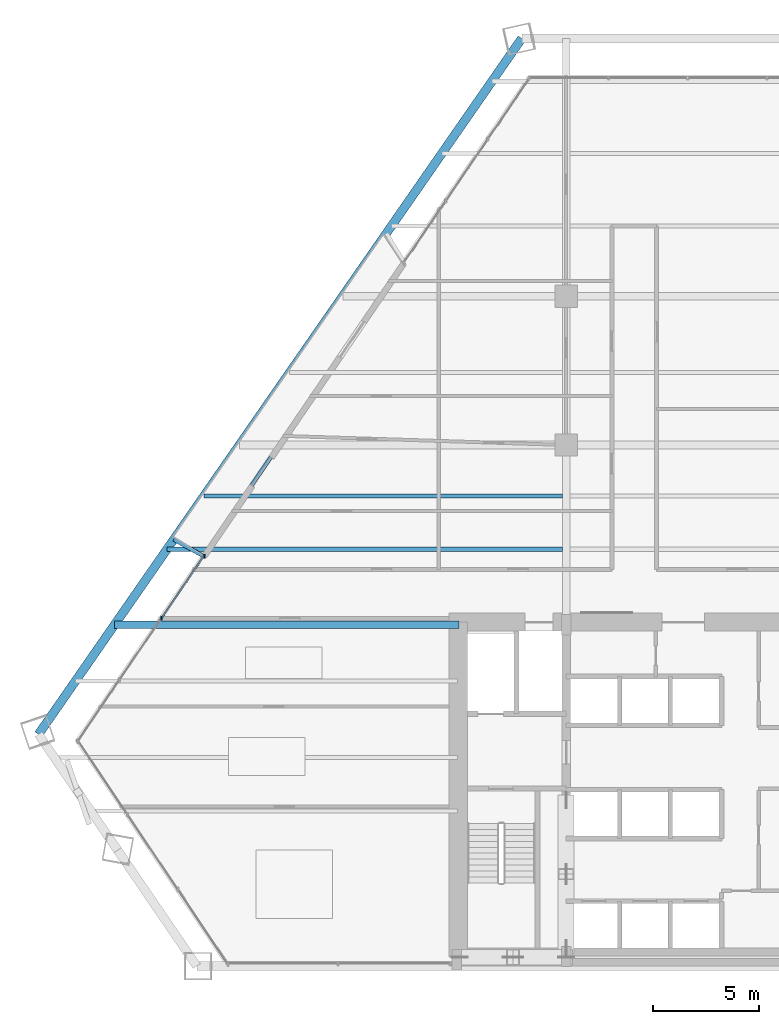
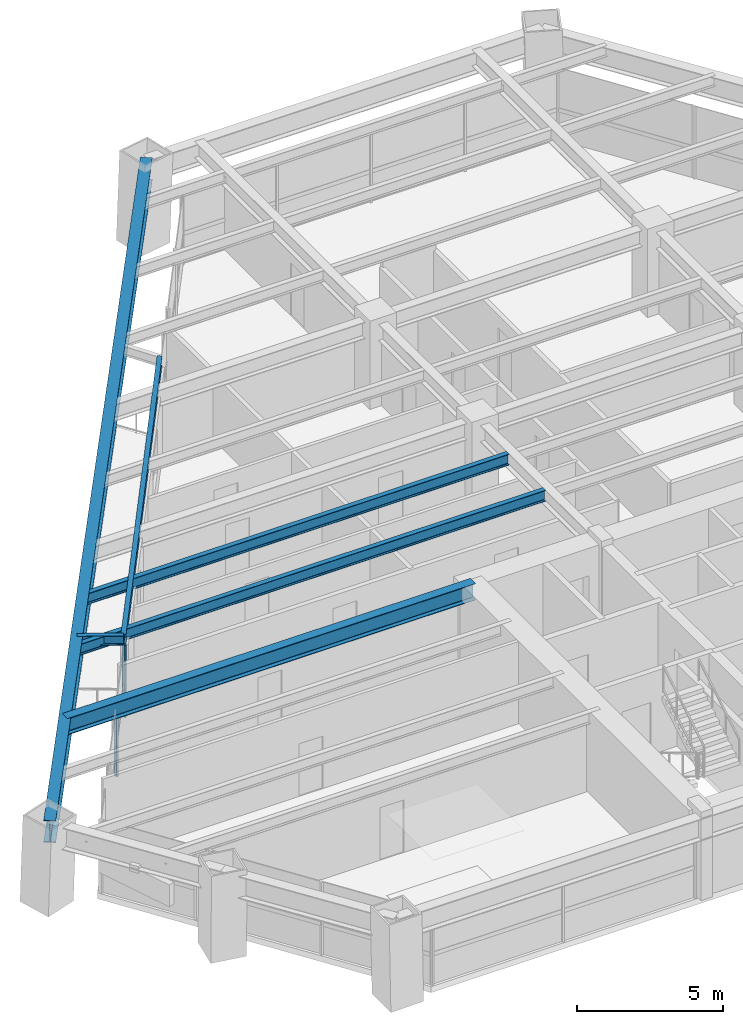
# One storey, part 4 of 14: 6 beams, 3 members, 1 element without a shape of its own.
"""IFC4 building model written with IfcOpenShell, lengths in metres."""

from ifc_helpers import new_model, si_unit, direction, frame, origin, origin_2d, place, context, subcontext, project, spatial, rectangle, i_section, extrude, source, transform, mapped, material, material_profile, profile_set, type_object, type_shapes, element, aggregate, save


model = new_model("IFC4")

# Units and contexts
model_context = context("Model", 3, precision=1e-05, world=origin(), true_north=direction((0.0, 1.0)))
body_context = subcontext(model_context, "Body", "Model", "MODEL_VIEW")
ifc_project = project(units=[si_unit("LENGTHUNIT", "METRE"), si_unit("AREAUNIT", "SQUARE_METRE"), si_unit("VOLUMEUNIT", "CUBIC_METRE"), si_unit("PLANEANGLEUNIT", "RADIAN"), si_unit("MASSUNIT", "GRAM", prefix="KILO")], contexts=[model_context])

# Site, building, storey
site_placement = place(None, origin())
site = spatial("IfcSite", under=ifc_project, at=site_placement, CompositionType="ELEMENT")
building_placement = place(site_placement, origin())
building = spatial("IfcBuilding", under=site, at=building_placement, Name="Varnakhor Terracotta Tower", CompositionType="ELEMENT")
storey_placement = place(building_placement, frame((0.0, 0.0, 46.0)))
storey = spatial("IfcBuildingStorey", under=building, at=storey_placement, Name="L10", CompositionType="ELEMENT", Elevation=46.0)

# Beams
ifc_material_1 = material(Name="Steel S355", Category="steel")
ifc_material_profile_1 = material_profile(ifc_material_1, i_section(OverallWidth=0.41796875, OverallDepth=0.927001953125, WebThickness=0.01904296875, FlangeThickness=0.031982421875, FilletRadius=0.01806640625, at=origin_2d()), Name="W36X231")
ifc_profile_set_1 = profile_set([ifc_material_profile_1], Name="Steel S355")
beam_type_1 = type_object("IfcBeamType", Name="BM-W36X231", PredefinedType="BEAM", material=ifc_profile_set_1)
shared_shape_1 = source(origin(), body_context, "Body", "SweptSolid", [
    extrude(i_section(OverallWidth=0.41796875, OverallDepth=0.927001953125, WebThickness=0.01904296875, FlangeThickness=0.031982421875, FilletRadius=0.01806640625, at=origin_2d()), origin(), (0.0, 0.0, 1.0), 39.8310546875),
])
beam_1_placement = place(storey_placement, frame((-7.589599609375, 43.61474609375, 2.986572265625), z_axis=(-0.570413843374, -0.821357441853, 0.0), x_axis=(0.821357441853, -0.570413843374, 0.0)))
element("IfcBeam", 1, at=beam_1_placement, inside=storey, type_object=beam_type_1, Name="L10 Perimeter Spandrel 6", PredefinedType="BEAM", context=body_context, shape_type="MappedRepresentation", body=[
    mapped(shared_shape_1, transform((0.0, 0.0, 0.0), scale=1.0)),
])
ifc_material_profile_2 = material_profile(ifc_material_1, i_section(OverallWidth=0.179931640625, OverallDepth=0.39990234375, WebThickness=0.008544921875, FlangeThickness=0.013427734375, FilletRadius=0.01806640625, at=origin_2d()), Name="IPE400")
ifc_profile_set_2 = profile_set([ifc_material_profile_2], Name="Steel S355")
beam_type_2 = type_object("IfcBeamType", Name="JST-IPE400", PredefinedType="JOIST", material=ifc_profile_set_2)
shared_shape_2 = source(origin(), body_context, "Body", "SweptSolid", [
    extrude(i_section(OverallWidth=0.179931640625, OverallDepth=0.39990234375, WebThickness=0.008544921875, FlangeThickness=0.013427734375, FilletRadius=0.01806640625, at=origin_2d()), origin(), (0.0, 0.0, 1.0), 16.735595703125),
])
beam_2_placement = place(storey_placement, frame((-13.12939453125, 33.107421875, 3.25), z_axis=(-0.562937511841, -0.826499460231, 0.0), x_axis=(0.826499460231, -0.562937511841, 0.0)))
element("IfcBeam", 2, at=beam_2_placement, inside=storey, type_object=beam_type_2, Name="L10 Loggia Edge Beam 2", PredefinedType="JOIST", context=body_context, shape_type="MappedRepresentation", body=[
    mapped(shared_shape_2, transform((0.0, 0.0, 0.0), scale=1.0)),
])
ifc_material_profile_3 = material_profile(ifc_material_1, i_section(OverallWidth=0.35498046875, OverallDepth=0.695068359375, WebThickness=0.014892578125, FlangeThickness=0.02490234375, FilletRadius=0.01806640625, at=origin_2d()), Name="W27X146")
ifc_profile_set_3 = profile_set([ifc_material_profile_3], Name="Steel S355")
beam_type_3 = type_object("IfcBeamType", Name="BM-W27X146", PredefinedType="BEAM", material=ifc_profile_set_3)
shared_shape_3 = source(origin(), body_context, "Body", "SweptSolid", [
    extrude(i_section(OverallWidth=0.35498046875, OverallDepth=0.695068359375, WebThickness=0.014892578125, FlangeThickness=0.02490234375, FilletRadius=0.01806640625, at=origin_2d()), origin(), (0.0, 0.0, 1.0), 16.182861328125),
])
beam_3_placement = place(storey_placement, frame((-26.73291015625, 16.050048828125, 3.1025390625), z_axis=(1.0, 0.0, 0.0), x_axis=(0.0, 1.0, 0.0)))
element("IfcBeam", 3, at=beam_3_placement, inside=storey, type_object=beam_type_3, Name="L10 Wing Girder W", PredefinedType="BEAM", context=body_context, shape_type="MappedRepresentation", body=[
    mapped(shared_shape_3, transform((0.0, 0.0, 0.0), scale=1.0)),
])
ifc_material_profile_4 = material_profile(ifc_material_1, i_section(OverallWidth=0.19189453125, OverallDepth=0.462890625, WebThickness=0.010498046875, FlangeThickness=0.017578125, FilletRadius=0.01806640625, at=origin_2d()), Name="W18X60")
ifc_profile_set_4 = profile_set([ifc_material_profile_4], Name="Steel S355")
beam_type_4 = type_object("IfcBeamType", Name="JST-W18X60", PredefinedType="JOIST", material=ifc_profile_set_4)
shared_shape_4 = source(origin(), body_context, "Body", "SweptSolid", [
    extrude(i_section(OverallWidth=0.19189453125, OverallDepth=0.462890625, WebThickness=0.010498046875, FlangeThickness=0.017578125, FilletRadius=0.01806640625, at=origin_2d()), origin(), (0.0, 0.0, 1.0), 18.59375),
])
beam_4_placement = place(storey_placement, frame((-24.267333984375, 19.60009765625, 3.218505859375), z_axis=(1.0, 0.0, 0.0), x_axis=(0.0, 1.0, 0.0)))
element("IfcBeam", 4, at=beam_4_placement, inside=storey, type_object=beam_type_4, Name="L10 Composite Floor Joist 4-1", PredefinedType="JOIST", context=body_context, shape_type="MappedRepresentation", body=[
    mapped(shared_shape_4, transform((0.0, 0.0, 0.0), scale=1.0)),
])
shared_shape_5 = source(origin(), body_context, "Body", "SweptSolid", [
    extrude(i_section(OverallWidth=0.19189453125, OverallDepth=0.462890625, WebThickness=0.010498046875, FlangeThickness=0.017578125, FilletRadius=0.01806640625, at=origin_2d()), origin(), (0.0, 0.0, 1.0), 16.857666015625),
])
beam_5_placement = place(storey_placement, frame((-22.53125, 22.10009765625, 3.218505859375), z_axis=(1.0, 0.0, 0.0), x_axis=(0.0, 1.0, 0.0)))
element("IfcBeam", 5, at=beam_5_placement, inside=storey, type_object=beam_type_4, Name="L10 Composite Floor Joist 5-1", PredefinedType="JOIST", context=body_context, shape_type="MappedRepresentation", body=[
    mapped(shared_shape_5, transform((0.0, 0.0, 0.0), scale=1.0)),
])

# Curtain wall, members
ifc_material_2 = material(Name="Anodised Aluminium Curtain Wall System", Category="aluminium")
curtain_wall_type = type_object("IfcCurtainWallType", Name="CW-SYS-LOW-OFFICE", PredefinedType="NOTDEFINED", material=ifc_material_2)
curtain_wall_placement = place(storey_placement, origin())
curtain_wall = element("IfcCurtainWall", 6, at=curtain_wall_placement, inside=storey, type_object=curtain_wall_type, Name="L10 W Facet Curtain Wall 1", PredefinedType="NOTDEFINED")
ifc_material_3 = material(Name="Anodised Aluminium 6063-T6", Category="aluminium")
ifc_material_profile_5 = material_profile(ifc_material_3, rectangle(XDim=0.074951171875, YDim=0.18505859375, at=origin_2d()), Name="ALU MULLION 75x185")
ifc_profile_set_5 = profile_set([ifc_material_profile_5], Name="Anodised Aluminium 6063-T6")
member_type_1 = type_object("IfcMemberType", Name="CWM-02", PredefinedType="MULLION", material=ifc_profile_set_5)
shared_shape_6 = source(origin(), body_context, "Body", "SweptSolid", [
    extrude(rectangle(XDim=0.074951171875, YDim=0.18505859375, at=origin_2d()), origin(), (0.0, 0.0, 1.0), 3.030029296875),
])
type_shapes(member_type_1, [shared_shape_6])
member_1_placement = place(storey_placement, frame((-24.52197265625, 16.362548828125, 0.0), z_axis=(0.0, 0.0, 1.0), x_axis=(1.0, 0.0, 0.0)))
member_1 = element("IfcMember", 7, at=member_1_placement, type_object=member_type_1, Name="L10 W Facet Curtain Wall 1 Mullion 3", PredefinedType="MULLION", context=body_context, shape_type="MappedRepresentation", body=[
    mapped(shared_shape_6, transform((0.0, 0.0, 0.0), scale=1.0)),
])
member_2_placement = place(storey_placement, frame((-22.510498046875, 19.279296875, 0.0), z_axis=(0.0, 0.0, 1.0), x_axis=(1.0, 0.0, 0.0)))
member_2 = element("IfcMember", 8, at=member_2_placement, type_object=member_type_1, Name="L10 W Loggia Jamb Closure Mullion 1", PredefinedType="MULLION", context=body_context, shape_type="MappedRepresentation", body=[
    mapped(shared_shape_6, transform((0.0, 0.0, 0.0), scale=1.0)),
])
ifc_material_profile_6 = material_profile(ifc_material_3, rectangle(XDim=0.074951171875, YDim=0.1650390625, at=origin_2d()), Name="ALU TRANSOM 75x165")
ifc_profile_set_6 = profile_set([ifc_material_profile_6], Name="Anodised Aluminium 6063-T6")
member_type_2 = type_object("IfcMemberType", Name="CWT-02", PredefinedType="USERDEFINED", material=ifc_profile_set_6)
shared_shape_7 = source(origin(), body_context, "Body", "SweptSolid", [
    extrude(rectangle(XDim=0.074951171875, YDim=0.1650390625, at=origin_2d()), origin(), (0.0, 0.0, 1.0), 3.512939453125),
])
member_3_placement = place(storey_placement, frame((-24.52197265625, 16.362548828125, 1.272705078125), z_axis=(0.563123319879, 0.826372873834, 0.0), x_axis=(-0.826372873834, 0.563123319879, 0.0)))
member_3 = element("IfcMember", 9, at=member_3_placement, type_object=member_type_2, Name="L10 W Facet Curtain Wall 1 Transom 3", ObjectType="TRANSOM", PredefinedType="USERDEFINED", context=body_context, shape_type="MappedRepresentation", body=[
    mapped(shared_shape_7, transform((0.0, 0.0, 0.0), scale=1.0)),
])
aggregate(curtain_wall, [member_1, member_3, member_2])

# Beam
shared_shape_8 = source(origin(), body_context, "Body", "SweptSolid", [
    extrude(i_section(OverallWidth=0.179931640625, OverallDepth=0.39990234375, WebThickness=0.008544921875, FlangeThickness=0.013427734375, FilletRadius=0.01806640625, at=origin_2d()), origin(), (0.0, 0.0, 1.0), 1.6025390625),
])
beam_6_placement = place(storey_placement, frame((-22.550537109375, 19.275390625, 3.25), z_axis=(-0.872116088269, 0.489299017558, 0.0), x_axis=(-0.489299017558, -0.872116088269, 0.0)))
element("IfcBeam", 10, at=beam_6_placement, inside=storey, type_object=beam_type_2, Name="L11 W Loggia Tie Beam 1", PredefinedType="JOIST", context=body_context, shape_type="MappedRepresentation", body=[
    mapped(shared_shape_8, transform((0.0, 0.0, 0.0), scale=1.0)),
])

save(model, "model.ifc")
